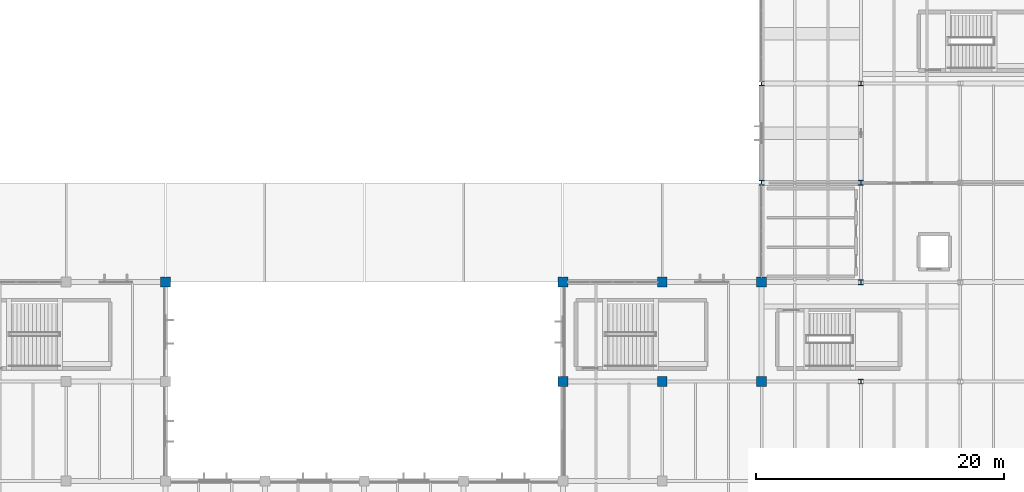
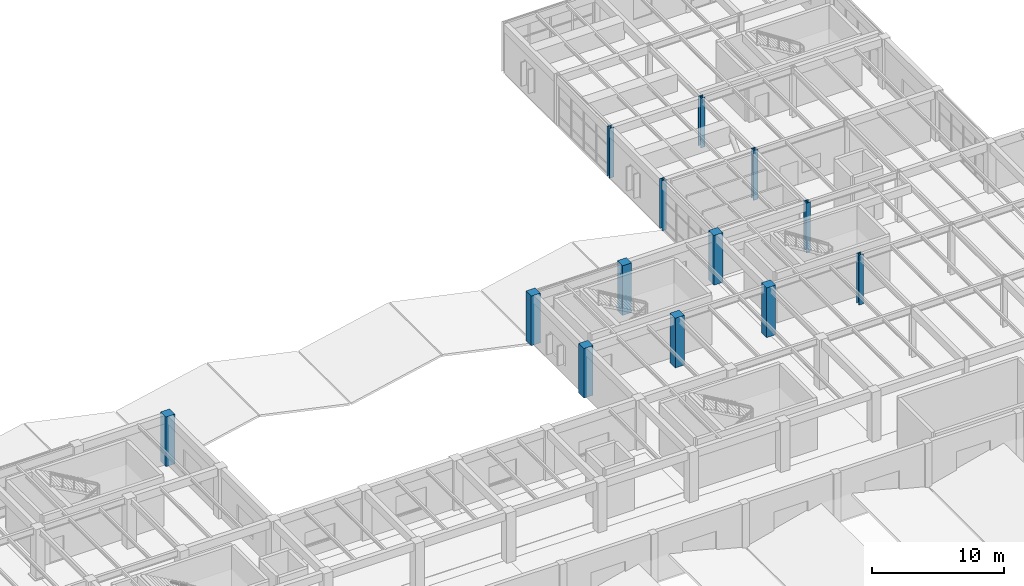
# One storey, part 4 of 60: 13 columns.
"""IFC4 building model written with IfcOpenShell, lengths in metres."""

from ifc_helpers import new_model, si_unit, direction, frame, origin, origin_2d, place, context, subcontext, project, spatial, rectangle, i_section, extrude, material, material_profile, profile_set, type_object, element, save


model = new_model("IFC4")

# Units and contexts
model_context = context("Model", 3, precision=1e-05, world=origin(), true_north=direction((0.0, 1.0)))
body_context = subcontext(model_context, "Body", "Model", "MODEL_VIEW")
ifc_project = project(units=[si_unit("LENGTHUNIT", "METRE"), si_unit("AREAUNIT", "SQUARE_METRE"), si_unit("VOLUMEUNIT", "CUBIC_METRE"), si_unit("PLANEANGLEUNIT", "RADIAN"), si_unit("MASSUNIT", "GRAM", prefix="KILO")], contexts=[model_context])

# Site, building, storey
site_placement = place(None, origin())
site = spatial("IfcSite", under=ifc_project, at=site_placement, CompositionType="ELEMENT")
building_placement = place(site_placement, origin())
building = spatial("IfcBuilding", under=site, at=building_placement, Name="Varnela Railside Interchange", CompositionType="ELEMENT")
storey_placement = place(building_placement, frame((0.0, 0.0, 6.300048828125)))
storey = spatial("IfcBuildingStorey", under=building, at=storey_placement, Name="L01", CompositionType="ELEMENT", Elevation=6.300048828125)

# Columns
ifc_material_1 = material(Name="Concrete C50", Category="concrete")
ifc_material_profile_1 = material_profile(ifc_material_1, rectangle(XDim=0.800048828125, YDim=0.800048828125, at=origin_2d()), Name="RC 800x800")
ifc_profile_set_1 = profile_set([ifc_material_profile_1], Name="Concrete C50")
column_type_1 = type_object("IfcColumnType", Name="Podium Concourse Column C-03", PredefinedType="COLUMN", material=ifc_profile_set_1)
for number, where, z_axis, x_axis, name in (
    (1, (68.0, 62.0, 0.0), (0.0, 0.0, 1.0), (1.0, 0.0, 0.0), "Column C-03 (L01) (CL-0707)"),
    (2, (100.0, 54.0, 0.0), (0.0, 0.0, 1.0), (1.0, 0.0, 0.0), "Column C-03 (L01) (CL-0587)"),
    (3, (100.0, 62.0, 0.0), (0.0, 0.0, 1.0), (1.0, 0.0, 0.0), "Column C-03 (L01) (CL-0588)"),
    (4, (108.0, 54.0, 0.0), (0.0, 0.0, 1.0), (1.0, 0.0, 0.0), "Column C-03 (L01) (CL-0592)"),
    (5, (108.0, 62.0, 0.0), (0.0, 0.0, 1.0), (1.0, 0.0, 0.0), "Column C-03 (L01) (CL-0593)"),
    (6, (116.0, 54.0, 0.0), (0.0, 0.0, 1.0), (1.0, 0.0, 0.0), "Column C-03 (L01) (CL-0597)"),
    (7, (116.0, 62.0, 0.0), (0.0, 0.0, 1.0), (1.0, 0.0, 0.0), "Column C-03 (L01) (CL-0598)"),
):
    element("IfcColumn", number, at=place(storey_placement, frame(where, z_axis=z_axis, x_axis=x_axis)), inside=storey, type_object=column_type_1, Name=name, PredefinedType="COLUMN", context=body_context, shape_type="SweptSolid", body=[
        extrude(rectangle(XDim=0.800048828125, YDim=0.800048828125, at=origin_2d()), origin(), (0.0, 0.0, 1.0), 4.599853515625),
    ])
ifc_material_2 = material(Name="Steel AR 350 (350 MPa)", Category="steel")
ifc_material_profile_2 = material_profile(ifc_material_2, i_section(OverallWidth=0.39794921875, OverallDepth=0.386962890625, WebThickness=0.02099609375, FlangeThickness=0.033203125, at=origin_2d()), Name="W360x262")
ifc_profile_set_2 = profile_set([ifc_material_profile_2], Name="Steel AR 350 (350 MPa)")
column_type_2 = type_object("IfcColumnType", Name="Superstructure Steel Col C-16", PredefinedType="COLUMN", material=ifc_profile_set_2)
for number, where, z_axis, x_axis, name in (
    (8, (116.0, 70.0, 0.0), (0.0, 0.0, 1.0), (1.0, 0.0, 0.0), "Column C-16 (L01) (CL-0599)"),
    (9, (116.0, 78.0, 0.0), (0.0, 0.0, 1.0), (1.0, 0.0, 0.0), "Column C-16 (L01) (CL-0600)"),
    (10, (124.0, 54.0, 0.0), (0.0, 0.0, 1.0), (1.0, 0.0, 0.0), "Column C-16 (L01) (CL-0606)"),
    (11, (124.0, 62.0, 0.0), (0.0, 0.0, 1.0), (1.0, 0.0, 0.0), "Column C-16 (L01) (CL-0607)"),
    (12, (124.0, 70.0, 0.0), (0.0, 0.0, 1.0), (1.0, 0.0, 0.0), "Column C-16 (L01) (CL-0608)"),
    (13, (124.0, 78.0, 0.0), (0.0, 0.0, 1.0), (1.0, 0.0, 0.0), "Column C-16 (L01) (CL-0609)"),
):
    element("IfcColumn", number, at=place(storey_placement, frame(where, z_axis=z_axis, x_axis=x_axis)), inside=storey, type_object=column_type_2, Name=name, PredefinedType="COLUMN", context=body_context, shape_type="SweptSolid", body=[
        extrude(i_section(OverallWidth=0.39794921875, OverallDepth=0.386962890625, WebThickness=0.02099609375, FlangeThickness=0.033203125, at=origin_2d()), origin(), (0.0, 0.0, 1.0), 4.599853515625),
    ])

save(model, "model.ifc")
